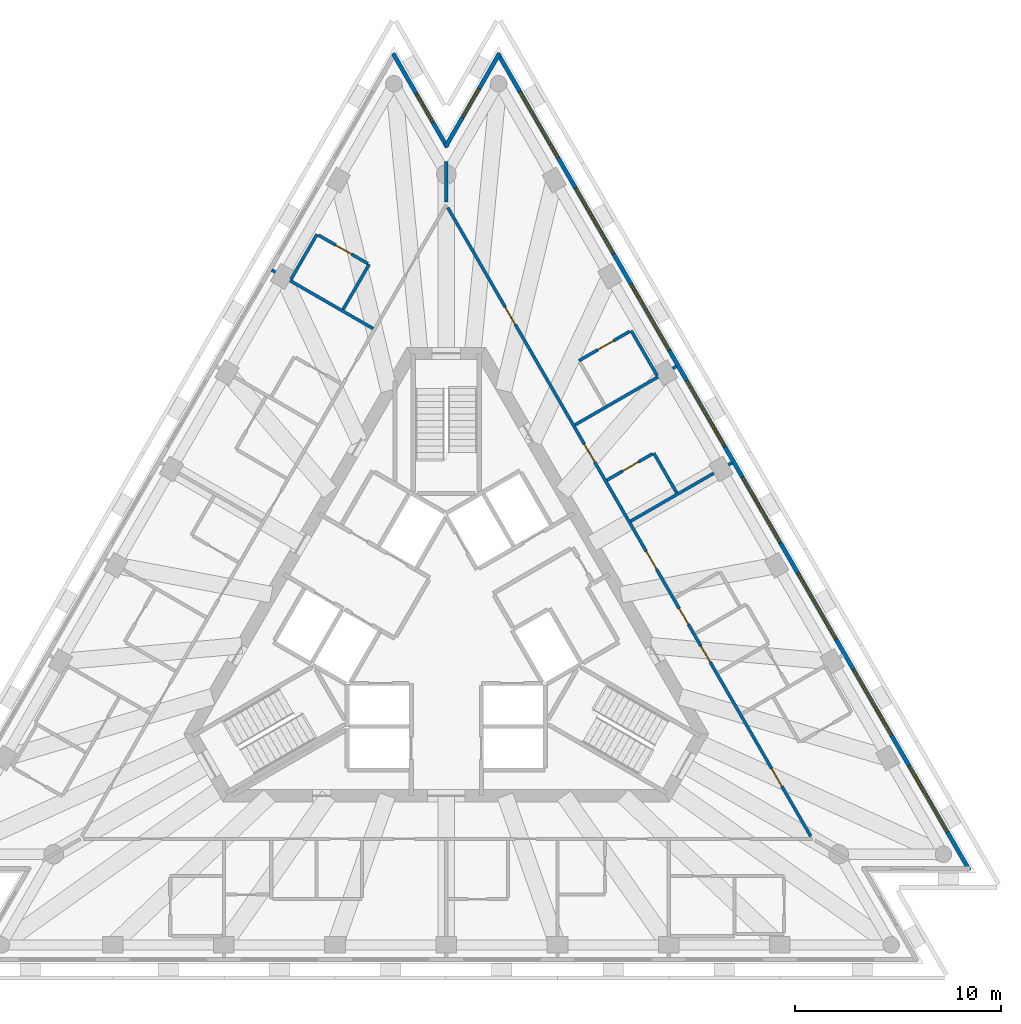
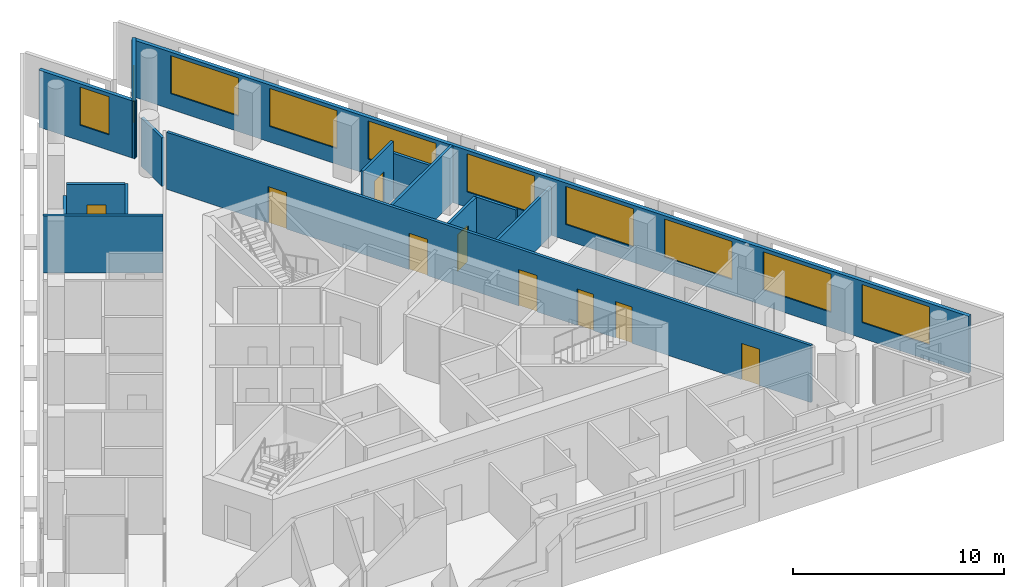
# One storey, part 7 of 10: 15 walls, 10 windows, 9 doors, 19 openings.
"""IFC4 building model written with IfcOpenShell, lengths in metres."""

from ifc_helpers import new_model, si_unit, direction, frame, frame_2d, origin, place, context, subcontext, project, spatial, rectangle, extrude, material, layer, layer_set, layer_usage, type_object, element, fill, save


model = new_model("IFC4")

# Units and contexts
model_context = context("Model", 3, precision=1e-05, world=origin(), true_north=direction((0.0, 1.0)))
body_context = subcontext(model_context, "Body", "Model", "MODEL_VIEW")
ifc_project = project(units=[si_unit("LENGTHUNIT", "METRE"), si_unit("AREAUNIT", "SQUARE_METRE"), si_unit("VOLUMEUNIT", "CUBIC_METRE"), si_unit("PLANEANGLEUNIT", "RADIAN"), si_unit("MASSUNIT", "GRAM", prefix="KILO")], contexts=[model_context])

# Site, building, storey
site_placement = place(None, origin())
site = spatial("IfcSite", under=ifc_project, at=site_placement, CompositionType="ELEMENT")
building_placement = place(site_placement, origin())
building = spatial("IfcBuilding", under=site, at=building_placement, Name="Triada Interchange Tower", CompositionType="ELEMENT")
storey_placement = place(building_placement, frame((0.0, 0.0, 297.10009765625)))
storey = spatial("IfcBuildingStorey", under=building, at=storey_placement, Name="L70", CompositionType="ELEMENT", Elevation=297.10009765625)

# Wall, openings, windows
ifc_material_1 = material(Name="Cement board")
ifc_layer_1 = layer(ifc_material_1, 0.02001953125, Name="Cement board cladding")
ifc_material_2 = material(Name="Sheathing board")
ifc_layer_2 = layer(ifc_material_2, 0.014892578125, Name="Sheathing board")
ifc_material_3 = material(Name="Mineral wool")
ifc_layer_3 = layer(ifc_material_3, 0.14990234375, Name="Mineral wool between steel studs")
ifc_material_4 = material(Name="Gypsum board")
ifc_layer_4 = layer(ifc_material_4, 0.014892578125, Name="Plasterboard lining")
ifc_layer_set_1 = layer_set([ifc_layer_1, ifc_layer_2, ifc_layer_3, ifc_layer_4], Name="External wall 200")
ifc_layer_usage = layer_usage(ifc_layer_set_1, "AXIS2", "POSITIVE", -0.10009765625)
wall_type_1 = type_object("IfcWallType", Name="External wall 200", PredefinedType="ELEMENTEDWALL", material=ifc_layer_set_1)
wall_1_placement = place(storey_placement, frame((25.375, -11.77001953125, 0.0), z_axis=(0.0, 0.0, 1.0), x_axis=(-0.500008134474, 0.866020707292, 0.0)))
wall_1 = element("IfcWall", 1, at=wall_1_placement, inside=storey, type_object=wall_type_1, material=ifc_layer_usage, Name="External wall L70 NE", PredefinedType="ELEMENTEDWALL", context=body_context, shape_type="SweptSolid", body=[
    extrude(rectangle(XDim=45.741455078125, YDim=0.199951171875, at=frame_2d((22.87060546875, 0.0))), origin(), (0.0, 0.0, 1.0), 3.2998046875),
])
opening_1_placement = place(wall_1_placement, frame((2.14990234375, 0.0, 0.89990234375)))
opening_1 = element("IfcOpeningElement", 2, at=opening_1_placement, cuts=wall_1, Name="Opening WD21", PredefinedType="OPENING", context=body_context, shape_type="SweptSolid", body=[
    extrude(rectangle(XDim=3.699951171875, YDim=2.199951171875, at=frame_2d((1.85009765625, 1.10009765625))), frame((0.0, 0.10986328125, 0.0), z_axis=(0.0, -1.0, 0.0), x_axis=(1.0, 0.0, 0.0)), (0.0, 0.0, 1.0), 0.219970703125),
])
opening_2_placement = place(wall_1_placement, frame((7.5439453125, 0.0, 0.89990234375)))
opening_2 = element("IfcOpeningElement", 3, at=opening_2_placement, cuts=wall_1, Name="Opening WD22", PredefinedType="OPENING", context=body_context, shape_type="SweptSolid", body=[
    extrude(rectangle(XDim=3.699951171875, YDim=2.199951171875, at=frame_2d((1.85009765625, 1.10009765625))), frame((0.0, 0.10986328125, 0.0), z_axis=(0.0, -1.0, 0.0), x_axis=(1.0, 0.0, 0.0)), (0.0, 0.0, 1.0), 0.219970703125),
])
opening_3_placement = place(wall_1_placement, frame((12.93896484375, 0.0, 0.89990234375)))
opening_3 = element("IfcOpeningElement", 4, at=opening_3_placement, cuts=wall_1, Name="Opening WD23", PredefinedType="OPENING", context=body_context, shape_type="SweptSolid", body=[
    extrude(rectangle(XDim=3.699951171875, YDim=2.199951171875, at=frame_2d((1.85009765625, 1.10009765625))), frame((0.0, 0.10986328125, 0.0), z_axis=(0.0, -1.0, 0.0), x_axis=(1.0, 0.0, 0.0)), (0.0, 0.0, 1.0), 0.219970703125),
])
opening_4_placement = place(wall_1_placement, frame((18.3330078125, 0.0, 0.89990234375)))
opening_4 = element("IfcOpeningElement", 5, at=opening_4_placement, cuts=wall_1, Name="Opening WD24", PredefinedType="OPENING", context=body_context, shape_type="SweptSolid", body=[
    extrude(rectangle(XDim=3.699951171875, YDim=2.199951171875, at=frame_2d((1.85009765625, 1.10009765625))), frame((0.0, 0.10986328125, 0.0), z_axis=(0.0, -1.0, 0.0), x_axis=(1.0, 0.0, 0.0)), (0.0, 0.0, 1.0), 0.219970703125),
])
opening_5_placement = place(wall_1_placement, frame((23.72802734375, 0.0, 0.89990234375)))
opening_5 = element("IfcOpeningElement", 6, at=opening_5_placement, cuts=wall_1, Name="Opening WD25", PredefinedType="OPENING", context=body_context, shape_type="SweptSolid", body=[
    extrude(rectangle(XDim=3.699951171875, YDim=2.199951171875, at=frame_2d((1.85009765625, 1.10009765625))), frame((0.0, 0.10986328125, 0.0), z_axis=(0.0, -1.0, 0.0), x_axis=(1.0, 0.0, 0.0)), (0.0, 0.0, 1.0), 0.219970703125),
])
opening_6_placement = place(wall_1_placement, frame((29.1220703125, 0.0, 0.89990234375)))
opening_6 = element("IfcOpeningElement", 7, at=opening_6_placement, cuts=wall_1, Name="Opening WD26", PredefinedType="OPENING", context=body_context, shape_type="SweptSolid", body=[
    extrude(rectangle(XDim=3.699951171875, YDim=2.199951171875, at=frame_2d((1.85009765625, 1.10009765625))), frame((0.0, 0.10986328125, 0.0), z_axis=(0.0, -1.0, 0.0), x_axis=(1.0, 0.0, 0.0)), (0.0, 0.0, 1.0), 0.219970703125),
])
opening_7_placement = place(wall_1_placement, frame((34.51708984375, 0.0, 0.89990234375)))
opening_7 = element("IfcOpeningElement", 8, at=opening_7_placement, cuts=wall_1, Name="Opening WD27", PredefinedType="OPENING", context=body_context, shape_type="SweptSolid", body=[
    extrude(rectangle(XDim=3.699951171875, YDim=2.199951171875, at=frame_2d((1.85009765625, 1.10009765625))), frame((0.0, 0.10986328125, 0.0), z_axis=(0.0, -1.0, 0.0), x_axis=(1.0, 0.0, 0.0)), (0.0, 0.0, 1.0), 0.219970703125),
])
opening_8_placement = place(wall_1_placement, frame((39.910888671875, 0.0, 0.89990234375)))
opening_8 = element("IfcOpeningElement", 9, at=opening_8_placement, cuts=wall_1, Name="Opening WD28", PredefinedType="OPENING", context=body_context, shape_type="SweptSolid", body=[
    extrude(rectangle(XDim=3.699951171875, YDim=2.199951171875, at=frame_2d((1.85009765625, 1.10009765625))), frame((0.0, 0.10986328125, 0.0), z_axis=(0.0, -1.0, 0.0), x_axis=(1.0, 0.0, 0.0)), (0.0, 0.0, 1.0), 0.219970703125),
])
ifc_material_5 = material(Name="Double glazed aluminium window", Category="aluminium")
window_type_1 = type_object("IfcWindowType", Name="Ribbon window D face", PartitioningType="SINGLE_PANEL", PredefinedType="WINDOW", material=ifc_material_5)
window_1_placement = place(opening_1_placement, origin())
window_1 = element("IfcWindow", 10, at=window_1_placement, inside=storey, type_object=window_type_1, Name="Window L70 NE 1", OverallHeight=2.199951171875, OverallWidth=3.699951171875, PartitioningType="SINGLE_PANEL", PredefinedType="WINDOW", context=body_context, shape_type="SweptSolid", body=[
    extrude(rectangle(XDim=3.699951171875, YDim=2.199951171875, at=frame_2d((1.85009765625, 1.10009765625))), frame((0.0, 0.030029296875, 0.0), z_axis=(0.0, -1.0, 0.0), x_axis=(1.0, 0.0, 0.0)), (0.0, 0.0, 1.0), 0.06005859375),
])
fill(opening_1, window_1)
window_2_placement = place(opening_2_placement, origin())
window_2 = element("IfcWindow", 11, at=window_2_placement, inside=storey, type_object=window_type_1, Name="Window L70 NE 2", OverallHeight=2.199951171875, OverallWidth=3.699951171875, PartitioningType="SINGLE_PANEL", PredefinedType="WINDOW", context=body_context, shape_type="SweptSolid", body=[
    extrude(rectangle(XDim=3.699951171875, YDim=2.199951171875, at=frame_2d((1.85009765625, 1.10009765625))), frame((0.0, 0.030029296875, 0.0), z_axis=(0.0, -1.0, 0.0), x_axis=(1.0, 0.0, 0.0)), (0.0, 0.0, 1.0), 0.06005859375),
])
fill(opening_2, window_2)
window_3_placement = place(opening_3_placement, origin())
window_3 = element("IfcWindow", 12, at=window_3_placement, inside=storey, type_object=window_type_1, Name="Window L70 NE 3", OverallHeight=2.199951171875, OverallWidth=3.699951171875, PartitioningType="SINGLE_PANEL", PredefinedType="WINDOW", context=body_context, shape_type="SweptSolid", body=[
    extrude(rectangle(XDim=3.699951171875, YDim=2.199951171875, at=frame_2d((1.85009765625, 1.10009765625))), frame((0.0, 0.030029296875, 0.0), z_axis=(0.0, -1.0, 0.0), x_axis=(1.0, 0.0, 0.0)), (0.0, 0.0, 1.0), 0.06005859375),
])
fill(opening_3, window_3)
window_4_placement = place(opening_4_placement, origin())
window_4 = element("IfcWindow", 13, at=window_4_placement, inside=storey, type_object=window_type_1, Name="Window L70 NE 4", OverallHeight=2.199951171875, OverallWidth=3.699951171875, PartitioningType="SINGLE_PANEL", PredefinedType="WINDOW", context=body_context, shape_type="SweptSolid", body=[
    extrude(rectangle(XDim=3.699951171875, YDim=2.199951171875, at=frame_2d((1.85009765625, 1.10009765625))), frame((0.0, 0.030029296875, 0.0), z_axis=(0.0, -1.0, 0.0), x_axis=(1.0, 0.0, 0.0)), (0.0, 0.0, 1.0), 0.06005859375),
])
fill(opening_4, window_4)
window_5_placement = place(opening_5_placement, origin())
window_5 = element("IfcWindow", 14, at=window_5_placement, inside=storey, type_object=window_type_1, Name="Window L70 NE 5", OverallHeight=2.199951171875, OverallWidth=3.699951171875, PartitioningType="SINGLE_PANEL", PredefinedType="WINDOW", context=body_context, shape_type="SweptSolid", body=[
    extrude(rectangle(XDim=3.699951171875, YDim=2.199951171875, at=frame_2d((1.85009765625, 1.10009765625))), frame((0.0, 0.030029296875, 0.0), z_axis=(0.0, -1.0, 0.0), x_axis=(1.0, 0.0, 0.0)), (0.0, 0.0, 1.0), 0.06005859375),
])
fill(opening_5, window_5)
window_6_placement = place(opening_6_placement, origin())
window_6 = element("IfcWindow", 15, at=window_6_placement, inside=storey, type_object=window_type_1, Name="Window L70 NE 6", OverallHeight=2.199951171875, OverallWidth=3.699951171875, PartitioningType="SINGLE_PANEL", PredefinedType="WINDOW", context=body_context, shape_type="SweptSolid", body=[
    extrude(rectangle(XDim=3.699951171875, YDim=2.199951171875, at=frame_2d((1.85009765625, 1.10009765625))), frame((0.0, 0.030029296875, 0.0), z_axis=(0.0, -1.0, 0.0), x_axis=(1.0, 0.0, 0.0)), (0.0, 0.0, 1.0), 0.06005859375),
])
fill(opening_6, window_6)
window_7_placement = place(opening_7_placement, origin())
window_7 = element("IfcWindow", 16, at=window_7_placement, inside=storey, type_object=window_type_1, Name="Window L70 NE 7", OverallHeight=2.199951171875, OverallWidth=3.699951171875, PartitioningType="SINGLE_PANEL", PredefinedType="WINDOW", context=body_context, shape_type="SweptSolid", body=[
    extrude(rectangle(XDim=3.699951171875, YDim=2.199951171875, at=frame_2d((1.85009765625, 1.10009765625))), frame((0.0, 0.030029296875, 0.0), z_axis=(0.0, -1.0, 0.0), x_axis=(1.0, 0.0, 0.0)), (0.0, 0.0, 1.0), 0.06005859375),
])
fill(opening_7, window_7)
window_8_placement = place(opening_8_placement, origin())
window_8 = element("IfcWindow", 17, at=window_8_placement, inside=storey, type_object=window_type_1, Name="Window L70 NE 8", OverallHeight=2.199951171875, OverallWidth=3.699951171875, PartitioningType="SINGLE_PANEL", PredefinedType="WINDOW", context=body_context, shape_type="SweptSolid", body=[
    extrude(rectangle(XDim=3.699951171875, YDim=2.199951171875, at=frame_2d((1.85009765625, 1.10009765625))), frame((0.0, 0.030029296875, 0.0), z_axis=(0.0, -1.0, 0.0), x_axis=(1.0, 0.0, 0.0)), (0.0, 0.0, 1.0), 0.06005859375),
])
fill(opening_8, window_8)

# Wall, opening, window
wall_2_placement = place(storey_placement, frame((2.583984375, 27.860107421875, 0.0), z_axis=(0.0, 0.0, 1.0), x_axis=(-0.499832707108, -0.866121968839, 0.0)))
wall_2 = element("IfcWall", 18, at=wall_2_placement, inside=storey, type_object=wall_type_1, material=ifc_layer_usage, Name="External wall L70 N-1", PredefinedType="ELEMENTEDWALL", context=body_context, shape_type="SweptSolid", body=[
    extrude(rectangle(XDim=5.239501953125, YDim=0.199951171875, at=frame_2d((2.61962890625, 0.0))), origin(), (0.0, 0.0, 1.0), 3.2998046875),
])
opening_9_placement = place(wall_2_placement, frame((1.989990234375, 0.0, 0.89990234375)))
opening_9 = element("IfcOpeningElement", 19, at=opening_9_placement, cuts=wall_2, Name="Opening WD29", PredefinedType="OPENING", context=body_context, shape_type="SweptSolid", body=[
    extrude(rectangle(XDim=1.60009765625, YDim=2.199951171875, at=frame_2d((0.800048828125, 1.10009765625))), frame((0.0, 0.10986328125, 0.0), z_axis=(0.0, -1.0, 0.0), x_axis=(1.0, 0.0, 0.0)), (0.0, 0.0, 1.0), 0.219970703125),
])
window_type_2 = type_object("IfcWindowType", Name="Ribbon window D pocket", PartitioningType="SINGLE_PANEL", PredefinedType="WINDOW", material=ifc_material_5)
window_9_placement = place(opening_9_placement, origin())
window_9 = element("IfcWindow", 20, at=window_9_placement, inside=storey, type_object=window_type_2, Name="Window L70 N-1 1", OverallHeight=2.199951171875, OverallWidth=1.60009765625, PartitioningType="SINGLE_PANEL", PredefinedType="WINDOW", context=body_context, shape_type="SweptSolid", body=[
    extrude(rectangle(XDim=1.60009765625, YDim=2.199951171875, at=frame_2d((0.800048828125, 1.10009765625))), frame((0.0, 0.030029296875, 0.0), z_axis=(0.0, -1.0, 0.0), x_axis=(1.0, 0.0, 0.0)), (0.0, 0.0, 1.0), 0.06005859375),
])
fill(opening_9, window_9)

wall_3_placement = place(storey_placement, frame((0.044921875, 23.304931640625, 0.0), z_axis=(0.0, 0.0, 1.0), x_axis=(-0.499832707108, 0.866121968839, 0.0)))
wall_3 = element("IfcWall", 21, at=wall_3_placement, inside=storey, type_object=wall_type_1, material=ifc_layer_usage, Name="External wall L70 N-2", PredefinedType="ELEMENTEDWALL", context=body_context, shape_type="SweptSolid", body=[
    extrude(rectangle(XDim=5.239501953125, YDim=0.199951171875, at=frame_2d((2.61962890625, 0.0))), origin(), (0.0, 0.0, 1.0), 3.2998046875),
])
opening_10_placement = place(wall_3_placement, frame((1.389892578125, 0.0, 0.89990234375)))
opening_10 = element("IfcOpeningElement", 22, at=opening_10_placement, cuts=wall_3, Name="Opening WD30", PredefinedType="OPENING", context=body_context, shape_type="SweptSolid", body=[
    extrude(rectangle(XDim=1.60009765625, YDim=2.199951171875, at=frame_2d((0.800048828125, 1.10009765625))), frame((0.0, 0.10986328125, 0.0), z_axis=(0.0, -1.0, 0.0), x_axis=(1.0, 0.0, 0.0)), (0.0, 0.0, 1.0), 0.219970703125),
])
window_10_placement = place(opening_10_placement, origin())
window_10 = element("IfcWindow", 23, at=window_10_placement, inside=storey, type_object=window_type_2, Name="Window L70 N-2 1", OverallHeight=2.199951171875, OverallWidth=1.60009765625, PartitioningType="SINGLE_PANEL", PredefinedType="WINDOW", context=body_context, shape_type="SweptSolid", body=[
    extrude(rectangle(XDim=1.60009765625, YDim=2.199951171875, at=frame_2d((0.800048828125, 1.10009765625))), frame((0.0, 0.030029296875, 0.0), z_axis=(0.0, -1.0, 0.0), x_axis=(1.0, 0.0, 0.0)), (0.0, 0.0, 1.0), 0.06005859375),
])
fill(opening_10, window_10)

# Walls
ifc_material_6 = material(Name="Gypsum board partition")
ifc_layer_5 = layer(ifc_material_6, 0.14990234375)
ifc_layer_set_2 = layer_set([ifc_layer_5], Name="PARTITION 150 EI 180")
wall_type_2 = type_object("IfcWallType", Name="PARTITION 150 EI 180", PredefinedType="PARTITIONING", material=ifc_layer_set_2)
wall_4_placement = place(storey_placement, frame((8.94189453125, 5.1630859375, 0.0), z_axis=(0.0, 0.0, 1.0), x_axis=(0.86606758311, 0.499926936147, 0.0)))
element("IfcWall", 24, at=wall_4_placement, inside=storey, type_object=wall_type_2, Name="Wall L68 2", PredefinedType="PARTITIONING", context=body_context, shape_type="SweptSolid", body=[
    extrude(rectangle(XDim=5.684326171875, YDim=0.14990234375, at=frame_2d((2.84228515625, 0.0))), origin(), (0.0, 0.0, 1.0), 2.7998046875),
])
wall_5_placement = place(storey_placement, frame((-8.470947265625, 17.347900390625, 0.0), z_axis=(0.0, 0.0, 1.0), x_axis=(0.86596385927, -0.500106583079, 0.0)))
element("IfcWall", 25, at=wall_5_placement, inside=storey, type_object=wall_type_2, Name="Wall L68 11", PredefinedType="PARTITIONING", context=body_context, shape_type="SweptSolid", body=[
    extrude(rectangle(XDim=5.684814453125, YDim=0.14990234375, at=frame_2d((2.84228515625, 0.0))), origin(), (0.0, 0.0, 1.0), 3.2998046875),
])
wall_6_placement = place(storey_placement, frame((0.0, 20.64990234375, 0.0), z_axis=(0.0, 0.0, 1.0), x_axis=(0.0, 1.0, 0.0)))
element("IfcWall", 26, at=wall_6_placement, inside=storey, type_object=wall_type_2, Name="Wall L68 17", PredefinedType="PARTITIONING", context=body_context, shape_type="SweptSolid", body=[
    extrude(rectangle(XDim=1.953125, YDim=0.14990234375, at=frame_2d((0.9765625, 0.0))), origin(), (0.0, 0.0, 1.0), 2.7998046875),
])

# Wall, openings, doors
wall_7_placement = place(storey_placement, frame((0.074951171875, 20.3701171875, 0.0), z_axis=(0.0, 0.0, 1.0), x_axis=(0.500009775255, -0.866019759965, 0.0)))
wall_7 = element("IfcWall", 27, at=wall_7_placement, inside=storey, type_object=wall_type_2, Name="Wall L68 18", PredefinedType="PARTITIONING", context=body_context, shape_type="SweptSolid", body=[
    extrude(rectangle(XDim=35.207275390625, YDim=0.14990234375, at=frame_2d((17.603515625, 0.0))), origin(), (0.0, 0.0, 1.0), 3.2998046875),
])
opening_11_placement = place(wall_7_placement, frame((31.406982421875, 0.0, 0.0)))
opening_11 = element("IfcOpeningElement", 28, at=opening_11_placement, cuts=wall_7, Name="Opening D68-24", PredefinedType="OPENING", context=body_context, shape_type="SweptSolid", body=[
    extrude(rectangle(XDim=1.0, YDim=2.10009765625, at=frame_2d((0.5, 1.050048828125))), frame((0.0, 0.0849609375, 0.0), z_axis=(0.0, -1.0, 0.0), x_axis=(1.0, 0.0, 0.0)), (0.0, 0.0, 1.0), 0.169921875),
])
opening_12_placement = place(wall_7_placement, frame((19.242919921875, 0.0, 0.0)))
opening_12 = element("IfcOpeningElement", 29, at=opening_12_placement, cuts=wall_7, Name="Opening D68-26", PredefinedType="OPENING", context=body_context, shape_type="SweptSolid", body=[
    extrude(rectangle(XDim=1.0, YDim=2.10009765625, at=frame_2d((0.5, 1.050048828125))), frame((0.0, 0.0849609375, 0.0), z_axis=(0.0, -1.0, 0.0), x_axis=(1.0, 0.0, 0.0)), (0.0, 0.0, 1.0), 0.169921875),
])
opening_13_placement = place(wall_7_placement, frame((24.54296875, 0.0, 0.0)))
opening_13 = element("IfcOpeningElement", 30, at=opening_13_placement, cuts=wall_7, Name="Opening D68-28", PredefinedType="OPENING", context=body_context, shape_type="SweptSolid", body=[
    extrude(rectangle(XDim=0.89990234375, YDim=2.10009765625, at=frame_2d((0.449951171875, 1.050048828125))), frame((0.0, 0.0849609375, 0.0), z_axis=(0.0, -1.0, 0.0), x_axis=(1.0, 0.0, 0.0)), (0.0, 0.0, 1.0), 0.169921875),
])
opening_14_placement = place(wall_7_placement, frame((22.443115234375, 0.0, 0.0)))
opening_14 = element("IfcOpeningElement", 31, at=opening_14_placement, cuts=wall_7, Name="Opening D68-29", PredefinedType="OPENING", context=body_context, shape_type="SweptSolid", body=[
    extrude(rectangle(XDim=0.89990234375, YDim=2.10009765625, at=frame_2d((0.449951171875, 1.050048828125))), frame((0.0, 0.0849609375, 0.0), z_axis=(0.0, -1.0, 0.0), x_axis=(1.0, 0.0, 0.0)), (0.0, 0.0, 1.0), 0.169921875),
])
opening_15_placement = place(wall_7_placement, frame((13.2529296875, 0.0, 0.0)))
opening_15 = element("IfcOpeningElement", 32, at=opening_15_placement, cuts=wall_7, Name="Opening D68-30", PredefinedType="OPENING", context=body_context, shape_type="SweptSolid", body=[
    extrude(rectangle(XDim=1.0, YDim=2.10009765625, at=frame_2d((0.5, 1.050048828125))), frame((0.0, 0.0849609375, 0.0), z_axis=(0.0, -1.0, 0.0), x_axis=(1.0, 0.0, 0.0)), (0.0, 0.0, 1.0), 0.169921875),
])
opening_16_placement = place(wall_7_placement, frame((5.55908203125, 0.0, 0.0)))
opening_16 = element("IfcOpeningElement", 33, at=opening_16_placement, cuts=wall_7, Name="Opening D68-32", PredefinedType="OPENING", context=body_context, shape_type="SweptSolid", body=[
    extrude(rectangle(XDim=1.0, YDim=2.10009765625, at=frame_2d((0.5, 1.050048828125))), frame((0.0, 0.0849609375, 0.0), z_axis=(0.0, -1.0, 0.0), x_axis=(1.0, 0.0, 0.0)), (0.0, 0.0, 1.0), 0.169921875),
])
ifc_material_7 = material(Name="Steel S235 door leaf", Category="steel")
door_type_1 = type_object("IfcDoorType", Name="GUEST ROOM DOOR 1000 EI2 90-C5S200", OperationType="NOTDEFINED", PredefinedType="DOOR", material=ifc_material_7)
door_1_placement = place(opening_11_placement, origin())
door_1 = element("IfcDoor", 34, at=door_1_placement, inside=storey, type_object=door_type_1, Name="Door D68-24 L70", OperationType="SINGLE_SWING_RIGHT", OverallHeight=2.10009765625, OverallWidth=1.0, PredefinedType="DOOR", context=body_context, shape_type="SweptSolid", body=[
    extrude(rectangle(XDim=1.0, YDim=2.10009765625, at=frame_2d((0.5, 1.050048828125))), frame((0.0, 0.02490234375, 0.0), z_axis=(0.0, -1.0, 0.0), x_axis=(1.0, 0.0, 0.0)), (0.0, 0.0, 1.0), 0.050048828125),
])
fill(opening_11, door_1)
door_2_placement = place(opening_12_placement, origin())
door_2 = element("IfcDoor", 35, at=door_2_placement, inside=storey, type_object=door_type_1, Name="Door D68-26 L70", OperationType="SINGLE_SWING_RIGHT", OverallHeight=2.10009765625, OverallWidth=1.0, PredefinedType="DOOR", context=body_context, shape_type="SweptSolid", body=[
    extrude(rectangle(XDim=1.0, YDim=2.10009765625, at=frame_2d((0.5, 1.050048828125))), frame((0.0, 0.02490234375, 0.0), z_axis=(0.0, -1.0, 0.0), x_axis=(1.0, 0.0, 0.0)), (0.0, 0.0, 1.0), 0.050048828125),
])
fill(opening_12, door_2)
door_3_placement = place(opening_15_placement, origin())
door_3 = element("IfcDoor", 36, at=door_3_placement, inside=storey, type_object=door_type_1, Name="Door D68-30 L70", OperationType="SINGLE_SWING_RIGHT", OverallHeight=2.10009765625, OverallWidth=1.0, PredefinedType="DOOR", context=body_context, shape_type="SweptSolid", body=[
    extrude(rectangle(XDim=1.0, YDim=2.10009765625, at=frame_2d((0.5, 1.050048828125))), frame((0.0, 0.02490234375, 0.0), z_axis=(0.0, -1.0, 0.0), x_axis=(1.0, 0.0, 0.0)), (0.0, 0.0, 1.0), 0.050048828125),
])
fill(opening_15, door_3)
door_4_placement = place(opening_16_placement, origin())
door_4 = element("IfcDoor", 37, at=door_4_placement, inside=storey, type_object=door_type_1, Name="Door D68-32 L70", OperationType="SINGLE_SWING_LEFT", OverallHeight=2.10009765625, OverallWidth=1.0, PredefinedType="DOOR", context=body_context, shape_type="SweptSolid", body=[
    extrude(rectangle(XDim=1.0, YDim=2.10009765625, at=frame_2d((0.5, 1.050048828125))), frame((0.0, 0.02490234375, 0.0), z_axis=(0.0, -1.0, 0.0), x_axis=(1.0, 0.0, 0.0)), (0.0, 0.0, 1.0), 0.050048828125),
])
fill(opening_16, door_4)
door_type_2 = type_object("IfcDoorType", Name="ROOM DOOR 900 EI2 90-C5S200", OperationType="NOTDEFINED", PredefinedType="DOOR", material=ifc_material_7)
door_5_placement = place(opening_14_placement, origin())
door_5 = element("IfcDoor", 38, at=door_5_placement, inside=storey, type_object=door_type_2, Name="Door D68-29 L70", OperationType="SINGLE_SWING_RIGHT", OverallHeight=2.10009765625, OverallWidth=0.89990234375, PredefinedType="DOOR", context=body_context, shape_type="SweptSolid", body=[
    extrude(rectangle(XDim=0.89990234375, YDim=2.10009765625, at=frame_2d((0.449951171875, 1.050048828125))), frame((0.0, 0.02490234375, 0.0), z_axis=(0.0, -1.0, 0.0), x_axis=(1.0, 0.0, 0.0)), (0.0, 0.0, 1.0), 0.050048828125),
])
fill(opening_14, door_5)
door_type_3 = type_object("IfcDoorType", Name="SERVICE DOOR 900 EI2 90-C5S200", OperationType="NOTDEFINED", PredefinedType="DOOR", material=ifc_material_7)
door_6_placement = place(opening_13_placement, origin())
door_6 = element("IfcDoor", 39, at=door_6_placement, inside=storey, type_object=door_type_3, Name="Door D68-28 L70", OperationType="SINGLE_SWING_LEFT", OverallHeight=2.10009765625, OverallWidth=0.89990234375, PredefinedType="DOOR", context=body_context, shape_type="SweptSolid", body=[
    extrude(rectangle(XDim=0.89990234375, YDim=2.10009765625, at=frame_2d((0.449951171875, 1.050048828125))), frame((0.0, 0.02490234375, 0.0), z_axis=(0.0, -1.0, 0.0), x_axis=(1.0, 0.0, 0.0)), (0.0, 0.0, 1.0), 0.050048828125),
])
fill(opening_13, door_6)

# Walls
wall_8_placement = place(storey_placement, frame((6.243896484375, 9.833984375, 0.0), z_axis=(0.0, 0.0, 1.0), x_axis=(0.866017549727, 0.50001360338, 0.0)))
element("IfcWall", 40, at=wall_8_placement, inside=storey, type_object=wall_type_2, Name="Wall L68 20", PredefinedType="PARTITIONING", context=body_context, shape_type="SweptSolid", body=[
    extrude(rectangle(XDim=5.685791015625, YDim=0.14990234375, at=frame_2d((2.8427734375, 0.0))), origin(), (0.0, 0.0, 1.0), 3.2998046875),
])
ifc_layer_6 = layer(ifc_material_6, 0.14990234375)
ifc_layer_set_3 = layer_set([ifc_layer_6], Name="PARTITION 150 EI 90")
wall_type_3 = type_object("IfcWallType", Name="PARTITION 150 EI 90", PredefinedType="PARTITIONING", material=ifc_layer_set_3)
wall_9_placement = place(storey_placement, frame((-5.00390625, 15.43310546875, 0.0), z_axis=(0.0, 0.0, 1.0), x_axis=(0.500079482444, 0.865979509711, 0.0)))
element("IfcWall", 41, at=wall_9_placement, inside=storey, type_object=wall_type_3, Name="Wall L68 32", PredefinedType="PARTITIONING", context=body_context, shape_type="SweptSolid", body=[
    extrude(rectangle(XDim=2.525390625, YDim=0.14990234375, at=frame_2d((1.2626953125, 0.0))), origin(), (0.0, 0.0, 1.0), 3.2998046875),
])
wall_10_placement = place(storey_placement, frame((-7.532958984375, 16.89306640625, 0.0), z_axis=(0.0, 0.0, 1.0), x_axis=(0.500079482444, 0.865979509711, 0.0)))
element("IfcWall", 42, at=wall_10_placement, inside=storey, type_object=wall_type_3, Name="Wall L68 34", PredefinedType="PARTITIONING", context=body_context, shape_type="SweptSolid", body=[
    extrude(rectangle(XDim=2.525390625, YDim=0.14990234375, at=frame_2d((1.2626953125, 0.0))), origin(), (0.0, 0.0, 1.0), 2.599853515625),
])

# Wall, opening, door
wall_11_placement = place(storey_placement, frame((-6.205078125, 19.0419921875, 0.0), z_axis=(0.0, 0.0, 1.0), x_axis=(0.866049104564, -0.499958946799, 0.0)))
wall_11 = element("IfcWall", 43, at=wall_11_placement, inside=storey, type_object=wall_type_3, Name="Wall L68 49", PredefinedType="PARTITIONING", context=body_context, shape_type="SweptSolid", body=[
    extrude(rectangle(XDim=2.770263671875, YDim=0.14990234375, at=frame_2d((1.38525390625, 0.0))), origin(), (0.0, 0.0, 1.0), 3.2998046875),
])
opening_17_placement = place(wall_11_placement, frame((0.97509765625, 0.0, 0.0)))
opening_17 = element("IfcOpeningElement", 44, at=opening_17_placement, cuts=wall_11, Name="Opening D68-35", PredefinedType="OPENING", context=body_context, shape_type="SweptSolid", body=[
    extrude(rectangle(XDim=0.89990234375, YDim=2.10009765625, at=frame_2d((0.449951171875, 1.050048828125))), frame((0.0, 0.0849609375, 0.0), z_axis=(0.0, -1.0, 0.0), x_axis=(1.0, 0.0, 0.0)), (0.0, 0.0, 1.0), 0.169921875),
])
door_type_4 = type_object("IfcDoorType", Name="ROOM DOOR 900 EI2 45-C5S200", OperationType="NOTDEFINED", PredefinedType="DOOR", material=ifc_material_7)
door_7_placement = place(opening_17_placement, origin())
door_7 = element("IfcDoor", 45, at=door_7_placement, inside=storey, type_object=door_type_4, Name="Door D68-35 L70", OperationType="SINGLE_SWING_RIGHT", OverallHeight=2.10009765625, OverallWidth=0.89990234375, PredefinedType="DOOR", context=body_context, shape_type="SweptSolid", body=[
    extrude(rectangle(XDim=0.89990234375, YDim=2.10009765625, at=frame_2d((0.449951171875, 1.050048828125))), frame((0.0, 0.02490234375, 0.0), z_axis=(0.0, -1.0, 0.0), x_axis=(1.0, 0.0, 0.0)), (0.0, 0.0, 1.0), 0.050048828125),
])
fill(opening_17, door_7)

# Wall
wall_12_placement = place(storey_placement, frame((10.06494140625, 8.467041015625, 0.0), z_axis=(0.0, 0.0, 1.0), x_axis=(0.499833278392, -0.866121639155, 0.0)))
element("IfcWall", 46, at=wall_12_placement, inside=storey, type_object=wall_type_3, Name="Wall L68 53", PredefinedType="PARTITIONING", context=body_context, shape_type="SweptSolid", body=[
    extrude(rectangle(XDim=2.224853515625, YDim=0.14990234375, at=frame_2d((1.1123046875, 0.0))), origin(), (0.0, 0.0, 1.0), 3.2998046875),
])

# Wall, opening, door
wall_13_placement = place(storey_placement, frame((7.7919921875, 7.154052734375, 0.0), z_axis=(0.0, 0.0, 1.0), x_axis=(0.866006986733, 0.500031897912, 0.0)))
wall_13 = element("IfcWall", 47, at=wall_13_placement, inside=storey, type_object=wall_type_3, Name="Wall L68 55", PredefinedType="PARTITIONING", context=body_context, shape_type="SweptSolid", body=[
    extrude(rectangle(XDim=2.549560546875, YDim=0.14990234375, at=frame_2d((1.27490234375, 0.0))), origin(), (0.0, 0.0, 1.0), 3.2998046875),
])
opening_18_placement = place(wall_13_placement, frame((0.875, 0.0, 0.0)))
opening_18 = element("IfcOpeningElement", 48, at=opening_18_placement, cuts=wall_13, Name="Opening D68-31", PredefinedType="OPENING", context=body_context, shape_type="SweptSolid", body=[
    extrude(rectangle(XDim=0.89990234375, YDim=2.10009765625, at=frame_2d((0.449951171875, 1.050048828125))), frame((0.0, 0.0849609375, 0.0), z_axis=(0.0, -1.0, 0.0), x_axis=(1.0, 0.0, 0.0)), (0.0, 0.0, 1.0), 0.169921875),
])
door_8_placement = place(opening_18_placement, origin())
door_8 = element("IfcDoor", 49, at=door_8_placement, inside=storey, type_object=door_type_4, Name="Door D68-31 L70", OperationType="SINGLE_SWING_RIGHT", OverallHeight=2.10009765625, OverallWidth=0.89990234375, PredefinedType="DOOR", context=body_context, shape_type="SweptSolid", body=[
    extrude(rectangle(XDim=0.89990234375, YDim=2.10009765625, at=frame_2d((0.449951171875, 1.050048828125))), frame((0.0, 0.02490234375, 0.0), z_axis=(0.0, -1.0, 0.0), x_axis=(1.0, 0.0, 0.0)), (0.0, 0.0, 1.0), 0.050048828125),
])
fill(opening_18, door_8)

# Wall
wall_14_placement = place(storey_placement, frame((8.967041015625, 14.408935546875, 0.0), z_axis=(0.0, 0.0, 1.0), x_axis=(0.500079482444, -0.865979509711, 0.0)))
element("IfcWall", 50, at=wall_14_placement, inside=storey, type_object=wall_type_3, Name="Wall L68 56", PredefinedType="PARTITIONING", context=body_context, shape_type="SweptSolid", body=[
    extrude(rectangle(XDim=2.525390625, YDim=0.14990234375, at=frame_2d((1.2626953125, 0.0))), origin(), (0.0, 0.0, 1.0), 2.599853515625),
])

# Wall, opening, door
wall_15_placement = place(storey_placement, frame((6.43798828125, 12.948974609375, 0.0), z_axis=(0.0, 0.0, 1.0), x_axis=(0.866107001057, 0.499858642738, 0.0)))
wall_15 = element("IfcWall", 51, at=wall_15_placement, inside=storey, type_object=wall_type_3, Name="Wall L68 58", PredefinedType="PARTITIONING", context=body_context, shape_type="SweptSolid", body=[
    extrude(rectangle(XDim=2.844970703125, YDim=0.14990234375, at=frame_2d((1.42236328125, 0.0))), origin(), (0.0, 0.0, 1.0), 3.2998046875),
])
opening_19_placement = place(wall_15_placement, frame((1.050048828125, 0.0, 0.0)))
opening_19 = element("IfcOpeningElement", 52, at=opening_19_placement, cuts=wall_15, Name="Opening D68-33", PredefinedType="OPENING", context=body_context, shape_type="SweptSolid", body=[
    extrude(rectangle(XDim=0.89990234375, YDim=2.10009765625, at=frame_2d((0.449951171875, 1.050048828125))), frame((0.0, 0.0849609375, 0.0), z_axis=(0.0, -1.0, 0.0), x_axis=(1.0, 0.0, 0.0)), (0.0, 0.0, 1.0), 0.169921875),
])
door_9_placement = place(opening_19_placement, origin())
door_9 = element("IfcDoor", 53, at=door_9_placement, inside=storey, type_object=door_type_4, Name="Door D68-33 L70", OperationType="SINGLE_SWING_LEFT", OverallHeight=2.10009765625, OverallWidth=0.89990234375, PredefinedType="DOOR", context=body_context, shape_type="SweptSolid", body=[
    extrude(rectangle(XDim=0.89990234375, YDim=2.10009765625, at=frame_2d((0.449951171875, 1.050048828125))), frame((0.0, 0.02490234375, 0.0), z_axis=(0.0, -1.0, 0.0), x_axis=(1.0, 0.0, 0.0)), (0.0, 0.0, 1.0), 0.050048828125),
])
fill(opening_19, door_9)

save(model, "model.ifc")
